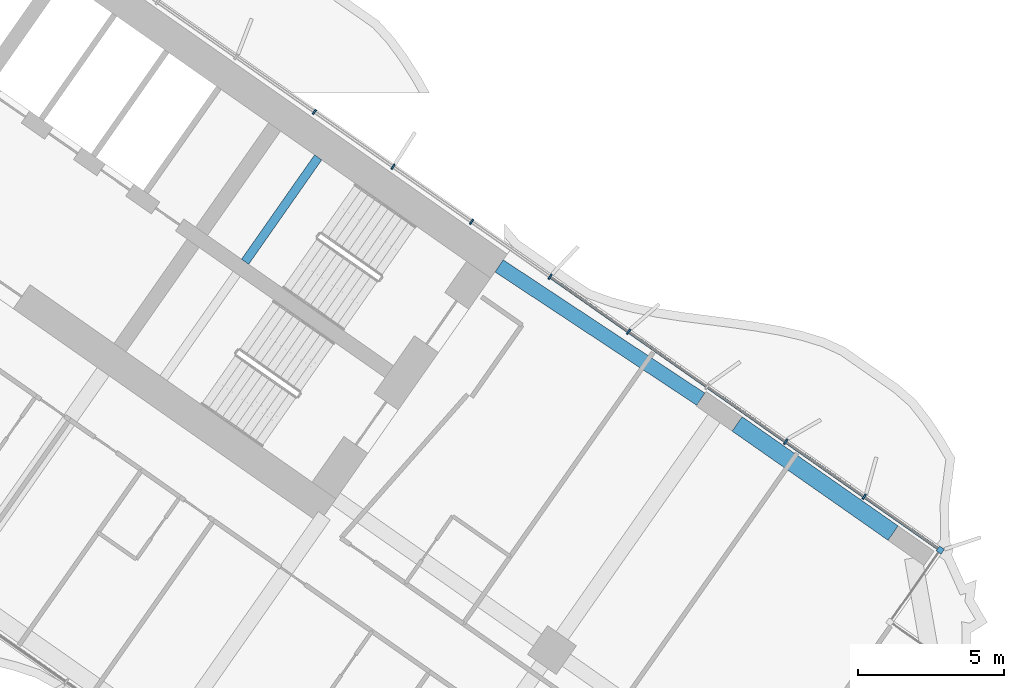
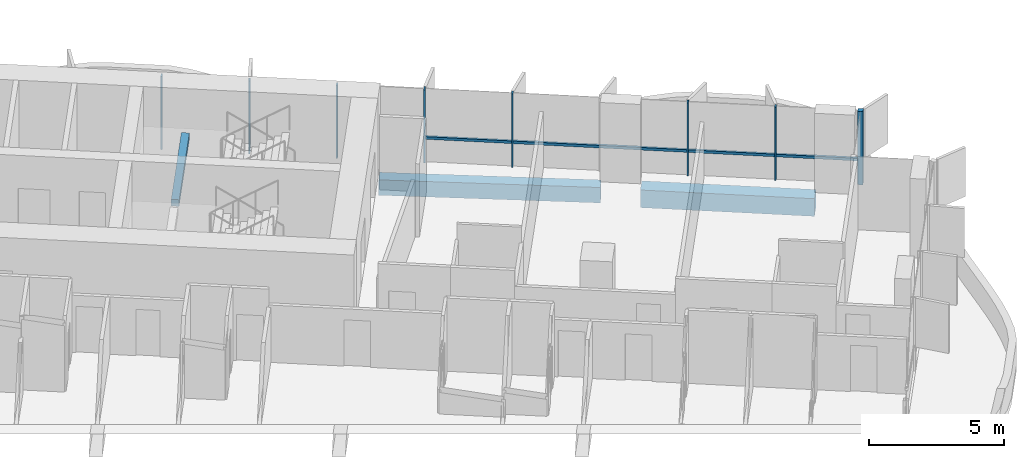
# One storey, part 10 of 24: 9 members, 3 beams, 2 elements without a shape of their own.
"""IFC4 building model written with IfcOpenShell, lengths in metres."""

from ifc_helpers import new_model, si_unit, direction, frame, origin, origin_2d, place, context, subcontext, project, spatial, rectangle, extrude, material, material_profile, profile_set, type_object, element, aggregate, save


model = new_model("IFC4")

# Units and contexts
model_context = context("Model", 3, precision=1e-05, world=origin(), true_north=direction((0.0, 1.0)))
body_context = subcontext(model_context, "Body", "Model", "MODEL_VIEW")
ifc_project = project(units=[si_unit("LENGTHUNIT", "METRE"), si_unit("AREAUNIT", "SQUARE_METRE"), si_unit("VOLUMEUNIT", "CUBIC_METRE"), si_unit("PLANEANGLEUNIT", "RADIAN"), si_unit("MASSUNIT", "GRAM", prefix="KILO")], contexts=[model_context])

# Site, building, storey
site_placement = place(None, origin())
site = spatial("IfcSite", under=ifc_project, at=site_placement, CompositionType="ELEMENT")
building_placement = place(site_placement, origin())
building = spatial("IfcBuilding", under=site, at=building_placement, Name="Tel Ilan Convention Tower", CompositionType="ELEMENT")
storey_placement = place(building_placement, frame((0.0, 0.0, 65.300048828125)))
storey = spatial("IfcBuildingStorey", under=building, at=storey_placement, Name="L11", CompositionType="ELEMENT", Elevation=65.300048828125)

# Beams
ifc_material_1 = material(Name="Concrete C40/50", Category="concrete")
ifc_material_profile_1 = material_profile(ifc_material_1, rectangle(XDim=0.5, YDim=0.699951171875, at=origin_2d()), Name="RC 500x700")
ifc_profile_set_1 = profile_set([ifc_material_profile_1], Name="Concrete C40/50")
beam_type_1 = type_object("IfcBeamType", Name="Beam RC 500x700 Concrete C40/50", PredefinedType="BEAM", material=ifc_profile_set_1)
beam_1_placement = place(storey_placement, frame((34.570556640625, -12.08447265625, -0.630126953125), z_axis=(-0.834273603487, 0.551350663847, 0.0), x_axis=(-0.551350663847, -0.834273603487, 0.0)))
element("IfcBeam", 1, at=beam_1_placement, inside=storey, type_object=beam_type_1, Name="L11 beam E-E-B4-core", PredefinedType="BEAM", context=body_context, shape_type="SweptSolid", body=[
    extrude(rectangle(XDim=0.5, YDim=0.699951171875, at=origin_2d()), origin(), (0.0, 0.0, 1.0), 8.2529296875),
])
ifc_material_2 = material(Name="Concrete C40/50", Category="concrete")
ifc_material_profile_2 = material_profile(ifc_material_2, rectangle(XDim=0.60009765625, YDim=0.800048828125, at=origin_2d()), Name="RC 600x800")
ifc_profile_set_2 = profile_set([ifc_material_profile_2], Name="Concrete C40/50")
beam_type_2 = type_object("IfcBeamType", Name="Beam RC 600x800 Concrete C40/50", PredefinedType="BEAM", material=ifc_profile_set_2)
beam_2_placement = place(storey_placement, frame((41.135498046875, -16.656494140625, -0.679931640625), z_axis=(-0.819178980414, 0.573537965655, 0.0), x_axis=(-0.573537965655, -0.819178980414, 0.0)))
element("IfcBeam", 2, at=beam_2_placement, inside=storey, type_object=beam_type_2, Name="L11 beam E-E-BC-E-B4", PredefinedType="BEAM", context=body_context, shape_type="SweptSolid", body=[
    extrude(rectangle(XDim=0.60009765625, YDim=0.800048828125, at=origin_2d()), origin(), (0.0, 0.0, 1.0), 6.5),
])

# Curtain wall, member
ifc_material_3 = material(Name="Aluminium, bronze anodised", Category="aluminium")
curtain_wall_type_1 = type_object("IfcCurtainWallType", Name="CW1 UNITISED CURTAIN WALL, HOTEL TINTED GLASS", PredefinedType="NOTDEFINED", material=ifc_material_3)
curtain_wall_1_placement = place(storey_placement, origin())
curtain_wall_1 = element("IfcCurtainWall", 3, at=curtain_wall_1_placement, inside=storey, type_object=curtain_wall_type_1, Name="Curtain wall CW1-12.02", PredefinedType="NOTDEFINED")
ifc_material_4 = material(Name="Aluminium, bronze anodised", Category="aluminium")
ifc_material_profile_3 = material_profile(ifc_material_4, rectangle(XDim=0.199951171875, YDim=0.199951171875, at=origin_2d()), Name="CW CORNER MULLION 200x200")
ifc_profile_set_3 = profile_set([ifc_material_profile_3], Name="Aluminium, bronze anodised")
member_type_1 = type_object("IfcMemberType", Name="CW CORNER MULLION 200x200", PredefinedType="MULLION", material=ifc_profile_set_3)
member_1_placement = place(storey_placement, frame((42.7451171875, -17.234375, 0.0), z_axis=(0.0, 0.0, 1.0), x_axis=(0.573576436351, 0.819152044289, 0.0)))
member_1 = element("IfcMember", 4, at=member_1_placement, type_object=member_type_1, Name="Corner mullion", PredefinedType="MULLION", context=body_context, shape_type="SweptSolid", body=[
    extrude(rectangle(XDim=0.199951171875, YDim=0.199951171875, at=origin_2d()), origin(), (0.0, 0.0, 1.0), 3.320068359375),
])

# Curtain wall, members
ifc_material_5 = material(Name="Aluminium, bronze anodised", Category="aluminium")
curtain_wall_type_2 = type_object("IfcCurtainWallType", Name="CW2 STICK CURTAIN WALL, SPANDREL PANELS", PredefinedType="NOTDEFINED", material=ifc_material_5)
curtain_wall_2_placement = place(storey_placement, origin())
curtain_wall_2 = element("IfcCurtainWall", 5, at=curtain_wall_2_placement, inside=storey, type_object=curtain_wall_type_2, Name="Curtain wall CW2-12.01", PredefinedType="NOTDEFINED")
ifc_material_6 = material(Name="Aluminium, bronze anodised", Category="aluminium")
ifc_material_profile_4 = material_profile(ifc_material_6, rectangle(XDim=0.06005859375, YDim=0.199951171875, at=origin_2d()), Name="CW MULLION 60x200")
ifc_profile_set_4 = profile_set([ifc_material_profile_4], Name="Aluminium, bronze anodised")
member_type_2 = type_object("IfcMemberType", Name="CW MULLION 60x200", PredefinedType="MULLION", material=ifc_profile_set_4)
member_2_placement = place(storey_placement, frame((29.42578125, -7.907958984375, 0.0), z_axis=(0.0, 0.0, 1.0), x_axis=(-0.819152044289, 0.573576436351, 0.0)))
member_2 = element("IfcMember", 6, at=member_2_placement, type_object=member_type_2, Name="Mullion", PredefinedType="MULLION", context=body_context, shape_type="SweptSolid", body=[
    extrude(rectangle(XDim=0.06005859375, YDim=0.199951171875, at=origin_2d()), origin(), (0.0, 0.0, 1.0), 3.320068359375),
])
member_3_placement = place(storey_placement, frame((26.745361328125, -6.03125, 0.0), z_axis=(0.0, 0.0, 1.0), x_axis=(-0.819152044289, 0.573576436351, 0.0)))
member_3 = element("IfcMember", 7, at=member_3_placement, type_object=member_type_2, Name="Mullion", PredefinedType="MULLION", context=body_context, shape_type="SweptSolid", body=[
    extrude(rectangle(XDim=0.06005859375, YDim=0.199951171875, at=origin_2d()), origin(), (0.0, 0.0, 1.0), 3.320068359375),
])
member_4_placement = place(storey_placement, frame((24.065185546875, -4.154541015625, 0.0), z_axis=(0.0, 0.0, 1.0), x_axis=(-0.819152044289, 0.573576436351, 0.0)))
member_4 = element("IfcMember", 8, at=member_4_placement, type_object=member_type_2, Name="Mullion", PredefinedType="MULLION", context=body_context, shape_type="SweptSolid", body=[
    extrude(rectangle(XDim=0.06005859375, YDim=0.199951171875, at=origin_2d()), origin(), (0.0, 0.0, 1.0), 3.320068359375),
])
member_5_placement = place(storey_placement, frame((21.384765625, -2.27783203125, 0.0), z_axis=(0.0, 0.0, 1.0), x_axis=(-0.819152044289, 0.573576436351, 0.0)))
member_5 = element("IfcMember", 9, at=member_5_placement, type_object=member_type_2, Name="Mullion", PredefinedType="MULLION", context=body_context, shape_type="SweptSolid", body=[
    extrude(rectangle(XDim=0.06005859375, YDim=0.199951171875, at=origin_2d()), origin(), (0.0, 0.0, 1.0), 3.320068359375),
])
aggregate(curtain_wall_2, [member_2, member_3, member_4, member_5])

# Member
member_6_placement = place(storey_placement, frame((40.146728515625, -15.4150390625, 0.0), z_axis=(0.0, 0.0, 1.0), x_axis=(-0.819152044289, 0.573576436351, 0.0)))
member_6 = element("IfcMember", 10, at=member_6_placement, type_object=member_type_2, Name="Mullion", PredefinedType="MULLION", context=body_context, shape_type="SweptSolid", body=[
    extrude(rectangle(XDim=0.06005859375, YDim=0.199951171875, at=origin_2d()), origin(), (0.0, 0.0, 1.0), 3.320068359375),
])

member_7_placement = place(storey_placement, frame((37.466552734375, -13.538330078125, 0.0), z_axis=(0.0, 0.0, 1.0), x_axis=(-0.819152044289, 0.573576436351, 0.0)))
member_7 = element("IfcMember", 11, at=member_7_placement, type_object=member_type_2, Name="Mullion", PredefinedType="MULLION", context=body_context, shape_type="SweptSolid", body=[
    extrude(rectangle(XDim=0.06005859375, YDim=0.199951171875, at=origin_2d()), origin(), (0.0, 0.0, 1.0), 3.320068359375),
])

member_8_placement = place(storey_placement, frame((32.10595703125, -9.78466796875, 0.0), z_axis=(0.0, 0.0, 1.0), x_axis=(-0.819152044289, 0.573576436351, 0.0)))
member_8 = element("IfcMember", 12, at=member_8_placement, type_object=member_type_2, Name="Mullion", PredefinedType="MULLION", context=body_context, shape_type="SweptSolid", body=[
    extrude(rectangle(XDim=0.06005859375, YDim=0.199951171875, at=origin_2d()), origin(), (0.0, 0.0, 1.0), 3.320068359375),
])

ifc_material_7 = material(Name="Aluminium, bronze anodised", Category="aluminium")
ifc_material_profile_5 = material_profile(ifc_material_7, rectangle(XDim=0.10009765625, YDim=0.1201171875, at=origin_2d()), Name="CW TRANSOM 100x120")
ifc_profile_set_5 = profile_set([ifc_material_profile_5], Name="Aluminium, bronze anodised")
member_type_3 = type_object("IfcMemberType", Name="CW TRANSOM 100x120", PredefinedType="USERDEFINED", material=ifc_profile_set_5)
member_9_placement = place(storey_placement, frame((42.6630859375, -17.177001953125, 1.099853515625), z_axis=(-0.819153693934, 0.573574080407, 0.0), x_axis=(-0.573574080407, -0.819153693934, 0.0)))
member_9 = element("IfcMember", 13, at=member_9_placement, type_object=member_type_3, Name="Transom", ObjectType="TRANSOM", PredefinedType="USERDEFINED", context=body_context, shape_type="SweptSolid", body=[
    extrude(rectangle(XDim=0.10009765625, YDim=0.1201171875, at=origin_2d()), origin(), (0.0, 0.0, 1.0), 16.1298828125),
])

aggregate(curtain_wall_1, [member_1, member_6, member_7, member_8, member_9])

# Beam
ifc_material_8 = material(Name="Concrete C40/50", Category="concrete")
ifc_material_profile_6 = material_profile(ifc_material_8, rectangle(XDim=0.300048828125, YDim=0.300048828125, at=origin_2d()), Name="RC 300x300")
ifc_profile_set_6 = profile_set([ifc_material_profile_6], Name="Concrete C40/50")
beam_type_3 = type_object("IfcBeamType", Name="Landing Beam RC 300x300 Concrete C40/50", PredefinedType="BEAM", material=ifc_profile_set_6)
beam_3_placement = place(storey_placement, frame((21.5087890625, -3.829345703125, 1.449951171875), z_axis=(-0.57356780395, -0.819158088694, 0.0), x_axis=(0.819158088694, -0.57356780395, 0.0)))
element("IfcBeam", 14, at=beam_3_placement, inside=storey, type_object=beam_type_3, Name="S3 landing beam L11.1", PredefinedType="BEAM", context=body_context, shape_type="SweptSolid", body=[
    extrude(rectangle(XDim=0.300048828125, YDim=0.300048828125, at=origin_2d()), origin(), (0.0, 0.0, 1.0), 4.35009765625),
])

save(model, "model.ifc")
